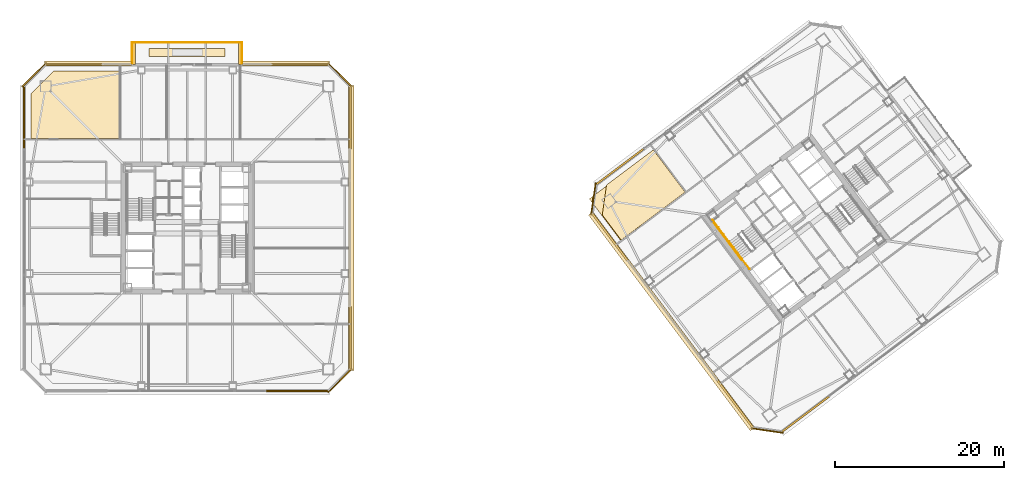
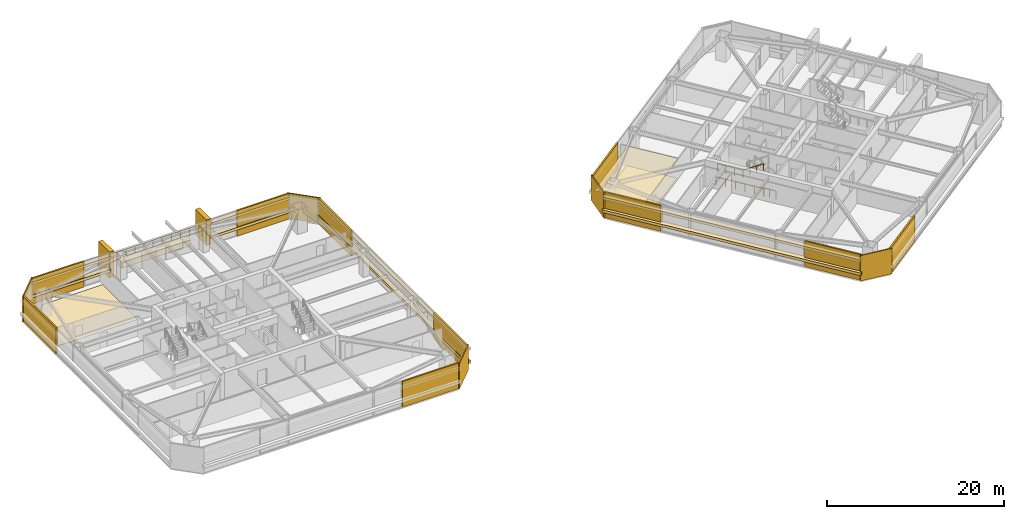
# One storey, part 37 of 41: 29 coverings, 7 railings.
"""IFC4 building model written with IfcOpenShell, lengths in metres."""

from ifc_helpers import new_model, si_unit, direction, frame, origin, origin_2d, place, context, subcontext, project, spatial, polyline, rectangle, outline, extrude, material, layer, layer_set, type_object, element, save


model = new_model("IFC4")

# Units and contexts
model_context = context("Model", 3, precision=1e-05, world=origin(), true_north=direction((0.0, 1.0)))
body_context = subcontext(model_context, "Body", "Model", "MODEL_VIEW")
ifc_project = project(units=[si_unit("LENGTHUNIT", "METRE"), si_unit("AREAUNIT", "SQUARE_METRE"), si_unit("VOLUMEUNIT", "CUBIC_METRE"), si_unit("PLANEANGLEUNIT", "RADIAN"), si_unit("MASSUNIT", "GRAM", prefix="KILO")], contexts=[model_context])

# Site, building, storey
site_placement = place(None, origin())
site = spatial("IfcSite", under=ifc_project, at=site_placement, CompositionType="ELEMENT")
building_placement = place(site_placement, origin())
building = spatial("IfcBuilding", under=site, at=building_placement, Name="Tashvorn Skyway Center", CompositionType="ELEMENT")
storey_placement = place(building_placement, frame((0.0, 0.0, 146.35009765625)))
storey = spatial("IfcBuildingStorey", under=building, at=storey_placement, Name="L39", CompositionType="ELEMENT", Elevation=146.35009765625)

# Coverings
ifc_material_1 = material(Name="Precast concrete C40/50", Category="concrete")
ifc_layer_1 = layer(ifc_material_1, 0.199951171875)
ifc_layer_set_1 = layer_set([ifc_layer_1], Name="Precast concrete C40/50")
covering_type_1 = type_object("IfcCoveringType", Name="COV-BRACE-CLAD", PredefinedType="CLADDING", material=ifc_layer_set_1)
for number, where, z_axis, x_axis, name in (
    (1, (55.051025390625, 12.719970703125, 0.0), (0.0, 0.0, 1.0), (-1.0, 0.0, 0.0), "Tower 1 L39 South Unitised Curtain Wall Mega-Brace Cladding Band 1"),
    (2, (22.719970703125, 45.051025390625, 0.0), (0.0, 0.0, 1.0), (0.0, 1.0, 0.0), "Tower 1 L39 West Unitised Curtain Wall Mega-Brace Cladding Band 2"),
):
    element("IfcCovering", number, at=place(storey_placement, frame(where, z_axis=z_axis, x_axis=x_axis)), inside=storey, type_object=covering_type_1, Name=name, PredefinedType="CLADDING", context=body_context, shape_type="SweptSolid", body=[
        extrude(rectangle(XDim=7.457763671875, YDim=0.199951171875, at=origin_2d()), origin(), (0.0, 0.0, 1.0), 3.550048828125),
    ])
for number, where, z_axis, x_axis, name in (
    (3, (28.61328125, 51.280029296875, 0.0), (0.0, 0.0, 1.0), (1.0, 0.0, 0.0), "Tower 1 L39 North Curtain Wall L Mega-Brace Cladding Band 1"),
    (4, (55.38671875, 51.280029296875, 0.0), (0.0, 0.0, 1.0), (1.0, 0.0, 0.0), "Tower 1 L39 North Curtain Wall R Mega-Brace Cladding Band 1"),
):
    element("IfcCovering", number, at=place(storey_placement, frame(where, z_axis=z_axis, x_axis=x_axis)), inside=storey, type_object=covering_type_1, Name=name, PredefinedType="CLADDING", context=body_context, shape_type="SweptSolid", body=[
        extrude(rectangle(XDim=6.78662109375, YDim=0.199951171875, at=origin_2d()), origin(), (0.0, 0.0, 1.0), 3.550048828125),
    ])
for number, where, z_axis, x_axis, name in (
    (5, (61.280029296875, 45.051025390625, 0.0), (0.0, 0.0, 1.0), (0.0, -1.0, 0.0), "Tower 1 L39 East Unitised Curtain Wall Mega-Brace Cladding Band 1"),
    (6, (61.280029296875, 18.948974609375, 0.0), (0.0, 0.0, 1.0), (0.0, -1.0, 0.0), "Tower 1 L39 East Unitised Curtain Wall Mega-Brace Cladding Band 2"),
):
    element("IfcCovering", number, at=place(storey_placement, frame(where, z_axis=z_axis, x_axis=x_axis)), inside=storey, type_object=covering_type_1, Name=name, PredefinedType="CLADDING", context=body_context, shape_type="SweptSolid", body=[
        extrude(rectangle(XDim=7.457763671875, YDim=0.199951171875, at=origin_2d()), origin(), (0.0, 0.0, 1.0), 3.550048828125),
    ])
for number, where, z_axis, x_axis, name in (
    (7, (115.087158203125, 9.96533203125, 0.0), (0.0, 0.0, 1.0), (-0.799999996291, -0.600000004945, 0.0), "Tower 2 L39 South Unitised Curtain Wall Mega-Brace Cladding Band 2"),
    (8, (106.78662109375, 11.151123046875, 0.0), (0.0, 0.0, 1.0), (-0.600000004945, 0.799999996291, 0.0), "Tower 2 L39 West Unitised Curtain Wall Mega-Brace Cladding Band 1"),
    (9, (91.96533203125, 30.912841796875, 0.0), (0.0, 0.0, 1.0), (-0.600000004945, 0.799999996291, 0.0), "Tower 2 L39 West Unitised Curtain Wall Mega-Brace Cladding Band 2"),
    (10, (93.151123046875, 39.21337890625, 0.0), (0.0, 0.0, 1.0), (0.799999996291, 0.600000004945, 0.0), "Tower 2 L39 North Unitised Curtain Wall Mega-Brace Cladding Band 1"),
):
    element("IfcCovering", number, at=place(storey_placement, frame(where, z_axis=z_axis, x_axis=x_axis)), inside=storey, type_object=covering_type_1, Name=name, PredefinedType="CLADDING", context=body_context, shape_type="SweptSolid", body=[
        extrude(rectangle(XDim=7.057861328125, YDim=0.199951171875, at=origin_2d()), origin(), (0.0, 0.0, 1.0), 3.550048828125),
    ])
ifc_material_2 = material(Name="Mineral-fibre acoustic ceiling tile on suspended grid")
ifc_layer_2 = layer(ifc_material_2, 0.02001953125)
ifc_layer_set_2 = layer_set([ifc_layer_2], Name="Mineral-fibre acoustic ceiling tile on suspended grid")
covering_type_2 = type_object("IfcCoveringType", Name="COV-CEIL-20", PredefinedType="CEILING", material=ifc_layer_set_2)
covering_1_placement = place(storey_placement, frame((0.0, 0.0, 2.702880859375)))
element("IfcCovering", 11, at=covering_1_placement, inside=storey, type_object=covering_type_2, Name="Tower 2 L39 Gallery Showroom Acoustic Ceiling", PredefinedType="CEILING", context=body_context, shape_type="SweptSolid", body=[
    extrude(outline(polyline([(93.298095703125, 30.43603515625), (100.97802734375, 36.196044921875), (97.239990234375, 41.179931640625), (89.56005859375, 35.419921875), (93.298095703125, 30.43603515625)])), origin(), (0.0, 0.0, 1.0), 0.02001953125),
])
ifc_material_3 = material(Name="Polished Mojave desert-aggregate terrazzo and cover plate")
ifc_layer_3 = layer(ifc_material_3, 0.0400390625)
ifc_layer_set_3 = layer_set([ifc_layer_3], Name="Polished Mojave desert-aggregate terrazzo and cover plate")
covering_type_3 = type_object("IfcCoveringType", Name="COV-FLR-40", PredefinedType="FLOORING", material=ifc_layer_set_3)
covering_2_placement = place(storey_placement, origin())
element("IfcCovering", 12, at=covering_2_placement, inside=storey, type_object=covering_type_3, Name="Tower 1 L39 Gallery Showroom Finish Flooring", PredefinedType="FLOORING", context=body_context, shape_type="SweptSolid", body=[
    extrude(outline(polyline([(34.02001953125, 42.530029296875), (23.580078125, 42.530029296875), (23.580078125, 47.8798828125), (26.199951171875, 50.5), (34.02001953125, 50.5), (34.02001953125, 42.530029296875)])), origin(), (0.0, 0.0, 1.0), 0.039794921875),
])
covering_3_placement = place(storey_placement, origin())
element("IfcCovering", 13, at=covering_3_placement, inside=storey, type_object=covering_type_3, Name="Tower 2 L39 Gallery Showroom Finish Flooring", PredefinedType="FLOORING", context=body_context, shape_type="SweptSolid", body=[
    extrude(outline(polyline([(100.865966796875, 36.2119140625), (93.31396484375, 30.548095703125), (91.075927734375, 33.531982421875), (91.580078125, 37.06005859375), (97.115966796875, 41.2119140625), (100.865966796875, 36.2119140625)])), origin(), (0.0, 0.0, 1.0), 0.039794921875),
])
ifc_material_4 = material(Name="Perforated ceramic-coated bronze aluminium solar screen", Category="aluminium")
ifc_layer_4 = layer(ifc_material_4, 0.85009765625)
ifc_layer_set_4 = layer_set([ifc_layer_4], Name="Perforated ceramic-coated bronze aluminium solar screen")
covering_type_4 = type_object("IfcCoveringType", Name="COV-SOLAR-BAND", PredefinedType="CLADDING", material=ifc_layer_set_4)
for number, where, z_axis, x_axis, name in (
    (14, (30.31005859375, 51.419921875, 0.919921875), (0.0, 0.0, 1.0), (1.0, 0.0, 0.0), "L39 Perforated Ceramic-Metal Solar Screen Louvre Band North 1"),
    (15, (30.31005859375, 51.419921875, 2.7197265625), (0.0, 0.0, 1.0), (1.0, 0.0, 0.0), "L39 Perforated Ceramic-Metal Solar Screen Louvre Band North 2"),
    (16, (53.68994140625, 51.419921875, 0.919921875), (0.0, 0.0, 1.0), (1.0, 0.0, 0.0), "L39 Perforated Ceramic-Metal Solar Screen Louvre Band North 1"),
    (17, (53.68994140625, 51.419921875, 2.7197265625), (0.0, 0.0, 1.0), (1.0, 0.0, 0.0), "L39 Perforated Ceramic-Metal Solar Screen Louvre Band North 2"),
):
    element("IfcCovering", number, at=place(storey_placement, frame(where, z_axis=z_axis, x_axis=x_axis)), inside=storey, type_object=covering_type_4, Name=name, PredefinedType="CLADDING", context=body_context, shape_type="SweptSolid", body=[
        extrude(rectangle(XDim=10.300048828125, YDim=0.639892578125, at=origin_2d()), origin(), (0.0, 0.0, 1.0), 0.360107421875),
    ])
for number, where, z_axis, x_axis, name in (
    (18, (61.419921875, 32.0, 0.919921875), (0.0, 0.0, 1.0), (0.0, -1.0, 0.0), "L39 Perforated Ceramic-Metal Solar Screen Louvre Band East 1"),
    (19, (61.419921875, 32.0, 2.7197265625), (0.0, 0.0, 1.0), (0.0, -1.0, 0.0), "L39 Perforated Ceramic-Metal Solar Screen Louvre Band East 2"),
):
    element("IfcCovering", number, at=place(storey_placement, frame(where, z_axis=z_axis, x_axis=x_axis)), inside=storey, type_object=covering_type_4, Name=name, PredefinedType="CLADDING", context=body_context, shape_type="SweptSolid", body=[
        extrude(rectangle(XDim=33.679931640625, YDim=0.639892578125, at=origin_2d()), origin(), (0.0, 0.0, 1.0), 0.360107421875),
    ])
for number, where, z_axis, x_axis, name in (
    (20, (99.263916015625, 20.947998046875, 0.919921875), (0.0, 0.0, 1.0), (-0.600000004945, 0.799999996291, 0.0), "L39 Perforated Ceramic-Metal Solar Screen Louvre Band West 1"),
    (21, (99.263916015625, 20.947998046875, 2.7197265625), (0.0, 0.0, 1.0), (-0.600000004945, 0.799999996291, 0.0), "L39 Perforated Ceramic-Metal Solar Screen Louvre Band West 2"),
):
    element("IfcCovering", number, at=place(storey_placement, frame(where, z_axis=z_axis, x_axis=x_axis)), inside=storey, type_object=covering_type_4, Name=name, PredefinedType="CLADDING", context=body_context, shape_type="SweptSolid", body=[
        extrude(rectangle(XDim=31.8798828125, YDim=0.639892578125, at=origin_2d()), origin(), (0.0, 0.0, 1.0), 0.360107421875),
    ])
ifc_layer_5 = layer(ifc_material_1, 0.35009765625)
ifc_layer_set_5 = layer_set([ifc_layer_5], Name="Precast concrete C40/50")
covering_type_5 = type_object("IfcCoveringType", Name="COV-STONE-TRIM", PredefinedType="CLADDING", material=ifc_layer_set_5)
for number, where, z_axis, x_axis, name in (
    (22, (35.64990234375, 52.550048828125, 0.0), (0.0, 0.0, 1.0), (1.0, 0.0, 0.0), "Tower 1 L39 Sky Garden Loggia Pier L"),
    (23, (48.35009765625, 52.550048828125, 0.0), (0.0, 0.0, 1.0), (1.0, 0.0, 0.0), "Tower 1 L39 Sky Garden Loggia Pier R"),
):
    element("IfcCovering", number, at=place(storey_placement, frame(where, z_axis=z_axis, x_axis=x_axis)), inside=storey, type_object=covering_type_5, Name=name, PredefinedType="CLADDING", context=body_context, shape_type="SweptSolid", body=[
        extrude(rectangle(XDim=0.580078125, YDim=2.5, at=origin_2d()), origin(), (0.0, 0.0, 1.0), 3.550048828125),
    ])
covering_4_placement = place(storey_placement, frame((42.0, 52.699951171875, 0.0), z_axis=(0.0, 0.0, 1.0), x_axis=(1.0, 0.0, 0.0)))
element("IfcCovering", 24, at=covering_4_placement, inside=storey, type_object=covering_type_5, Name="Tower 1 L39 Sky Garden Stone Planter Bed", PredefinedType="CLADDING", context=body_context, shape_type="SweptSolid", body=[
    extrude(rectangle(XDim=8.97607421875, YDim=0.949951171875, at=origin_2d()), origin(), (0.0, 0.0, 1.0), 0.800048828125),
])
for number, where, z_axis, x_axis, name in (
    (25, (23.929931640625, 50.070068359375, 0.02001953125), (0.0, 0.0, 1.0), (-0.707106781187, -0.707106781187, 0.0), "Tower 1 L39 NW Mojave Limestone Corner Quoin"),
    (26, (60.070068359375, 50.070068359375, 0.02001953125), (0.0, 0.0, 1.0), (0.707106781187, -0.707106781187, 0.0), "Tower 1 L39 NE Mojave Limestone Corner Quoin"),
    (27, (60.070068359375, 13.929931640625, 0.02001953125), (0.0, 0.0, 1.0), (0.707106781187, 0.707106781187, 0.0), "Tower 1 L39 SE Mojave Limestone Corner Quoin"),
):
    element("IfcCovering", number, at=place(storey_placement, frame(where, z_axis=z_axis, x_axis=x_axis)), inside=storey, type_object=covering_type_5, Name=name, PredefinedType="CLADDING", context=body_context, shape_type="SweptSolid", body=[
        extrude(rectangle(XDim=3.978515625, YDim=0.139892578125, at=origin_2d()), origin(), (0.0, 0.0, 1.0), 3.510009765625),
    ])
for number, where, z_axis, x_axis, name in (
    (28, (110.575927734375, 8.031982421875, 0.02001953125), (0.0, 0.0, 1.0), (-0.989949494535, 0.141421350118, 0.0), "Tower 2 L39 SW Mojave Limestone Corner Quoin"),
    (29, (90.031982421875, 35.424072265625, 0.02001953125), (0.0, 0.0, 1.0), (-0.141421350118, -0.989949494535, 0.0), "Tower 2 L39 NW Mojave Limestone Corner Quoin"),
):
    element("IfcCovering", number, at=place(storey_placement, frame(where, z_axis=z_axis, x_axis=x_axis)), inside=storey, type_object=covering_type_5, Name=name, PredefinedType="CLADDING", context=body_context, shape_type="SweptSolid", body=[
        extrude(rectangle(XDim=3.8369140625, YDim=0.139892578125, at=origin_2d()), origin(), (0.0, 0.0, 1.0), 3.510009765625),
    ])

# Railings
ifc_material_5 = material(Name="Galvanized steel S355", Category="steel")
railing_type_1 = type_object("IfcRailingType", Name="RAIL-GUARD-1120", PredefinedType="GUARDRAIL", material=ifc_material_5)
railing_1_placement = place(storey_placement, frame((35.47998046875, 51.39990234375, 0.0)))
element("IfcRailing", 30, at=railing_1_placement, inside=storey, type_object=railing_type_1, Name="L39 Tower 1 Terrace Guardrail 01", PredefinedType="GUARDRAIL", context=body_context, shape_type="SweptSolid", body=[
    extrude(rectangle(XDim=0.048095703125, YDim=0.048095703125, at=origin_2d()), frame((0.0, 0.0, 1.09619140625), z_axis=(0.0, 1.0, 0.0), x_axis=(-1.0, 0.0, 0.0)), (0.0, 0.0, 1.0), 2.52001953125),
    extrude(rectangle(XDim=0.0419921875, YDim=0.0419921875, at=origin_2d()), origin(), (0.0, 0.0, 1.0), 1.072021484375),
    extrude(rectangle(XDim=0.0419921875, YDim=0.0419921875, at=origin_2d()), frame((0.0, 0.840087890625, 0.0)), (0.0, 0.0, 1.0), 1.072021484375),
    extrude(rectangle(XDim=0.0419921875, YDim=0.0419921875, at=origin_2d()), frame((0.0, 1.679931640625, 0.0)), (0.0, 0.0, 1.0), 1.072021484375),
    extrude(rectangle(XDim=0.0419921875, YDim=0.0419921875, at=origin_2d()), frame((0.0, 2.52001953125, 0.0)), (0.0, 0.0, 1.0), 1.072021484375),
])
railing_2_placement = place(storey_placement, frame((35.47998046875, 53.919921875, 0.0)))
element("IfcRailing", 31, at=railing_2_placement, inside=storey, type_object=railing_type_1, Name="L39 Tower 1 Terrace Guardrail 02", PredefinedType="GUARDRAIL", context=body_context, shape_type="SweptSolid", body=[
    extrude(rectangle(XDim=0.048095703125, YDim=0.048095703125, at=origin_2d()), frame((0.0, 0.0, 1.09619140625), z_axis=(1.0, 0.0, 0.0), x_axis=(0.0, 1.0, 0.0)), (0.0, 0.0, 1.0), 13.0400390625),
    extrude(rectangle(XDim=0.0419921875, YDim=0.0419921875, at=origin_2d()), origin(), (0.0, 0.0, 1.0), 1.072021484375),
    extrude(rectangle(XDim=0.0419921875, YDim=0.0419921875, at=origin_2d()), frame((1.185546875, 0.0, 0.0)), (0.0, 0.0, 1.0), 1.072021484375),
    extrude(rectangle(XDim=0.0419921875, YDim=0.0419921875, at=origin_2d()), frame((2.370849609375, 0.0, 0.0)), (0.0, 0.0, 1.0), 1.072021484375),
    extrude(rectangle(XDim=0.0419921875, YDim=0.0419921875, at=origin_2d()), frame((3.556396484375, 0.0, 0.0)), (0.0, 0.0, 1.0), 1.072021484375),
    extrude(rectangle(XDim=0.0419921875, YDim=0.0419921875, at=origin_2d()), frame((4.741943359375, 0.0, 0.0)), (0.0, 0.0, 1.0), 1.072021484375),
    extrude(rectangle(XDim=0.0419921875, YDim=0.0419921875, at=origin_2d()), frame((5.92724609375, 0.0, 0.0)), (0.0, 0.0, 1.0), 1.072021484375),
    extrude(rectangle(XDim=0.0419921875, YDim=0.0419921875, at=origin_2d()), frame((7.11279296875, 0.0, 0.0)), (0.0, 0.0, 1.0), 1.072021484375),
    extrude(rectangle(XDim=0.0419921875, YDim=0.0419921875, at=origin_2d()), frame((8.298095703125, 0.0, 0.0)), (0.0, 0.0, 1.0), 1.072021484375),
    extrude(rectangle(XDim=0.0419921875, YDim=0.0419921875, at=origin_2d()), frame((9.483642578125, 0.0, 0.0)), (0.0, 0.0, 1.0), 1.072021484375),
    extrude(rectangle(XDim=0.0419921875, YDim=0.0419921875, at=origin_2d()), frame((10.669189453125, 0.0, 0.0)), (0.0, 0.0, 1.0), 1.072021484375),
    extrude(rectangle(XDim=0.0419921875, YDim=0.0419921875, at=origin_2d()), frame((11.8544921875, 0.0, 0.0)), (0.0, 0.0, 1.0), 1.072021484375),
    extrude(rectangle(XDim=0.0419921875, YDim=0.0419921875, at=origin_2d()), frame((13.0400390625, 0.0, 0.0)), (0.0, 0.0, 1.0), 1.072021484375),
])
railing_3_placement = place(storey_placement, frame((48.52001953125, 53.919921875, 0.0)))
element("IfcRailing", 32, at=railing_3_placement, inside=storey, type_object=railing_type_1, Name="L39 Tower 1 Terrace Guardrail 03", PredefinedType="GUARDRAIL", context=body_context, shape_type="SweptSolid", body=[
    extrude(rectangle(XDim=0.048095703125, YDim=0.048095703125, at=origin_2d()), frame((0.0, 0.0, 1.09619140625), z_axis=(0.0, -1.0, 0.0), x_axis=(1.0, 0.0, 0.0)), (0.0, 0.0, 1.0), 2.52001953125),
    extrude(rectangle(XDim=0.0419921875, YDim=0.0419921875, at=origin_2d()), origin(), (0.0, 0.0, 1.0), 1.072021484375),
    extrude(rectangle(XDim=0.0419921875, YDim=0.0419921875, at=origin_2d()), frame((0.0, -0.840087890625, 0.0)), (0.0, 0.0, 1.0), 1.072021484375),
    extrude(rectangle(XDim=0.0419921875, YDim=0.0419921875, at=origin_2d()), frame((0.0, -1.679931640625, 0.0)), (0.0, 0.0, 1.0), 1.072021484375),
    extrude(rectangle(XDim=0.0419921875, YDim=0.0419921875, at=origin_2d()), frame((0.0, -2.52001953125, 0.0)), (0.0, 0.0, 1.0), 1.072021484375),
])
ifc_material_6 = material(Name="Brushed stainless steel 316", Category="steel")
railing_type_2 = type_object("IfcRailingType", Name="RAIL-HAND-920", PredefinedType="HANDRAIL", material=ifc_material_6)
railing_4_placement = place(storey_placement, frame((106.072021484375, 30.35400390625, 1.952392578125)))
element("IfcRailing", 33, at=railing_4_placement, inside=storey, type_object=railing_type_2, Name="L39 ST-T2-1 stair handrail 2", PredefinedType="HANDRAIL", context=body_context, shape_type="SweptSolid", body=[
    extrude(rectangle(XDim=0.048095703125, YDim=0.048095703125, at=origin_2d()), frame((0.0, 0.0, 0.8759765625), z_axis=(0.506740800098, -0.675708949977, 0.535379469569), x_axis=(0.800023250257, 0.599968998406, 0.0)), (0.0, 0.0, 1.0), 2.983642578125),
    extrude(rectangle(XDim=0.0419921875, YDim=0.0419921875, at=origin_2d()), origin(), (0.0, 0.0, 1.0), 0.851806640625),
    extrude(rectangle(XDim=0.0419921875, YDim=0.0419921875, at=origin_2d()), frame((0.50390625, -0.672119140625, 0.532470703125)), (0.0, 0.0, 1.0), 0.851806640625),
    extrude(rectangle(XDim=0.0419921875, YDim=0.0419921875, at=origin_2d()), frame((1.008056640625, -1.343994140625, 1.06494140625)), (0.0, 0.0, 1.0), 0.851806640625),
    extrude(rectangle(XDim=0.0419921875, YDim=0.0419921875, at=origin_2d()), frame((1.511962890625, -2.01611328125, 1.597412109375)), (0.0, 0.0, 1.0), 0.851806640625),
])
ifc_material_7 = material(Name="Painted galvanized steel S355", Category="steel")
railing_type_3 = type_object("IfcRailingType", Name="RAIL-STGUARD-1100", PredefinedType="GUARDRAIL", material=ifc_material_7)
railing_5_placement = place(storey_placement, frame((106.072021484375, 30.35400390625, 1.77490234375)))
element("IfcRailing", 34, at=railing_5_placement, inside=storey, type_object=railing_type_3, Name="L39 ST-T2-1 stair guard 3", PredefinedType="GUARDRAIL", context=body_context, shape_type="SweptSolid", body=[
    extrude(rectangle(XDim=0.048095703125, YDim=0.048095703125, at=origin_2d()), frame((0.0, 0.0, 1.076171875), z_axis=(-0.599987638607, 0.800009270896, 0.0), x_axis=(-0.800009270896, -0.599987638607, 0.0)), (0.0, 0.0, 1.0), 3.16015625),
    extrude(rectangle(XDim=0.0419921875, YDim=0.0419921875, at=origin_2d()), origin(), (0.0, 0.0, 1.0), 1.052001953125),
    extrude(rectangle(XDim=0.0419921875, YDim=0.0419921875, at=origin_2d()), frame((-0.632080078125, 0.8427734375, 0.0)), (0.0, 0.0, 1.0), 1.052001953125),
    extrude(rectangle(XDim=0.0419921875, YDim=0.0419921875, at=origin_2d()), frame((-1.263916015625, 1.685302734375, 0.0)), (0.0, 0.0, 1.0), 1.052001953125),
    extrude(rectangle(XDim=0.0419921875, YDim=0.0419921875, at=origin_2d()), frame((-1.89599609375, 2.528076171875, 0.0)), (0.0, 0.0, 1.0), 1.052001953125),
])
railing_6_placement = place(storey_placement, frame((108.49609375, 27.1220703125, 0.0)))
element("IfcRailing", 35, at=railing_6_placement, inside=storey, type_object=railing_type_3, Name="L39 ST-T2-1 stair guard 6", PredefinedType="GUARDRAIL", context=body_context, shape_type="SweptSolid", body=[
    extrude(rectangle(XDim=0.048095703125, YDim=0.048095703125, at=origin_2d()), frame((0.0, 0.0, 1.076171875), z_axis=(-0.600102796382, 0.799922892393, 0.0), x_axis=(-0.799922892393, -0.600102796382, 0.0)), (0.0, 0.0, 1.0), 1.52001953125),
    extrude(rectangle(XDim=0.0419921875, YDim=0.0419921875, at=origin_2d()), origin(), (0.0, 0.0, 1.0), 1.052001953125),
    extrude(rectangle(XDim=0.0419921875, YDim=0.0419921875, at=origin_2d()), frame((-0.4560546875, 0.60791015625, 0.0)), (0.0, 0.0, 1.0), 1.052001953125),
    extrude(rectangle(XDim=0.0419921875, YDim=0.0419921875, at=origin_2d()), frame((-0.912109375, 1.2158203125, 0.0)), (0.0, 0.0, 1.0), 1.052001953125),
])
railing_7_placement = place(storey_placement, frame((107.56396484375, 28.197998046875, 0.0)))
element("IfcRailing", 36, at=railing_7_placement, inside=storey, type_object=railing_type_3, Name="L39 ST-T2-1 stair guard 7", PredefinedType="GUARDRAIL", context=body_context, shape_type="SweptSolid", body=[
    extrude(rectangle(XDim=0.048095703125, YDim=0.048095703125, at=origin_2d()), frame((0.0, 0.0, 1.076171875), z_axis=(-0.6, 0.8, 0.0), x_axis=(-0.8, -0.6, 0.0)), (0.0, 0.0, 1.0), 5.880126953125),
    extrude(rectangle(XDim=0.0419921875, YDim=0.0419921875, at=origin_2d()), origin(), (0.0, 0.0, 1.0), 1.052001953125),
    extrude(rectangle(XDim=0.0419921875, YDim=0.0419921875, at=origin_2d()), frame((-0.70556640625, 0.94091796875, 0.0)), (0.0, 0.0, 1.0), 1.052001953125),
    extrude(rectangle(XDim=0.0419921875, YDim=0.0419921875, at=origin_2d()), frame((-1.4111328125, 1.881591796875, 0.0)), (0.0, 0.0, 1.0), 1.052001953125),
    extrude(rectangle(XDim=0.0419921875, YDim=0.0419921875, at=origin_2d()), frame((-2.116943359375, 2.822509765625, 0.0)), (0.0, 0.0, 1.0), 1.052001953125),
    extrude(rectangle(XDim=0.0419921875, YDim=0.0419921875, at=origin_2d()), frame((-2.822509765625, 3.76318359375, 0.0)), (0.0, 0.0, 1.0), 1.052001953125),
    extrude(rectangle(XDim=0.0419921875, YDim=0.0419921875, at=origin_2d()), frame((-3.528076171875, 4.7041015625, 0.0)), (0.0, 0.0, 1.0), 1.052001953125),
])

save(model, "model.ifc")
